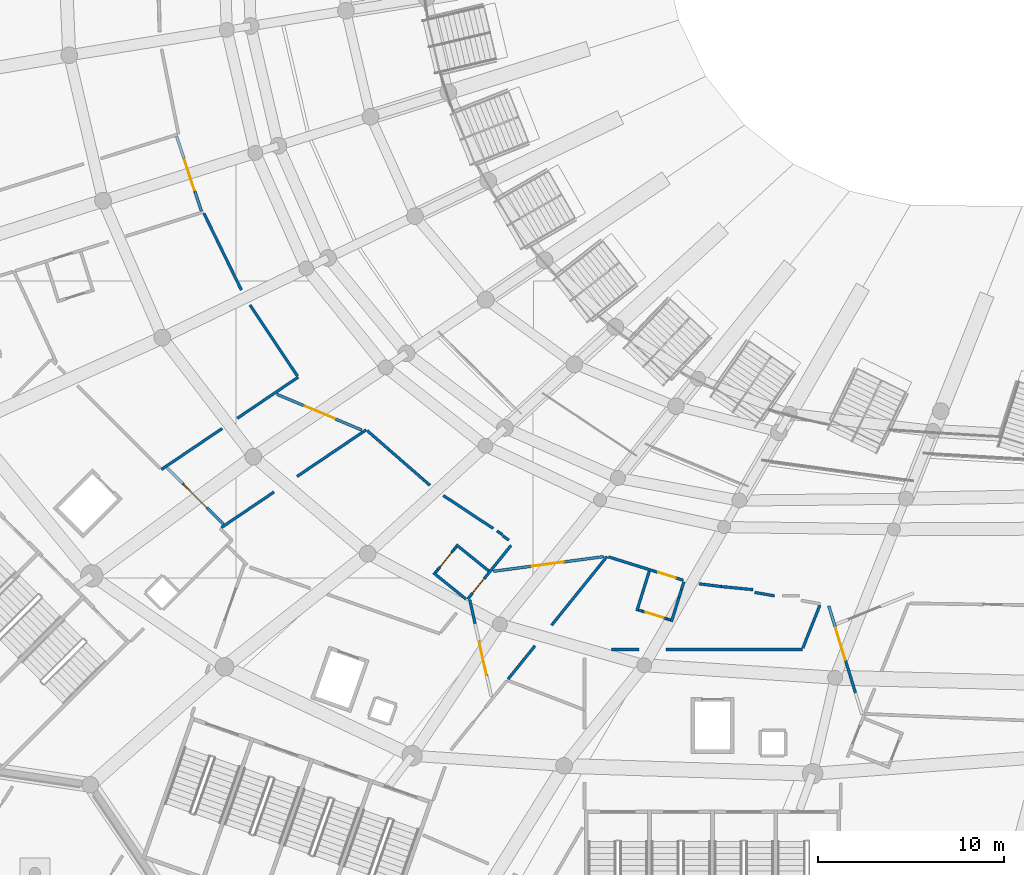
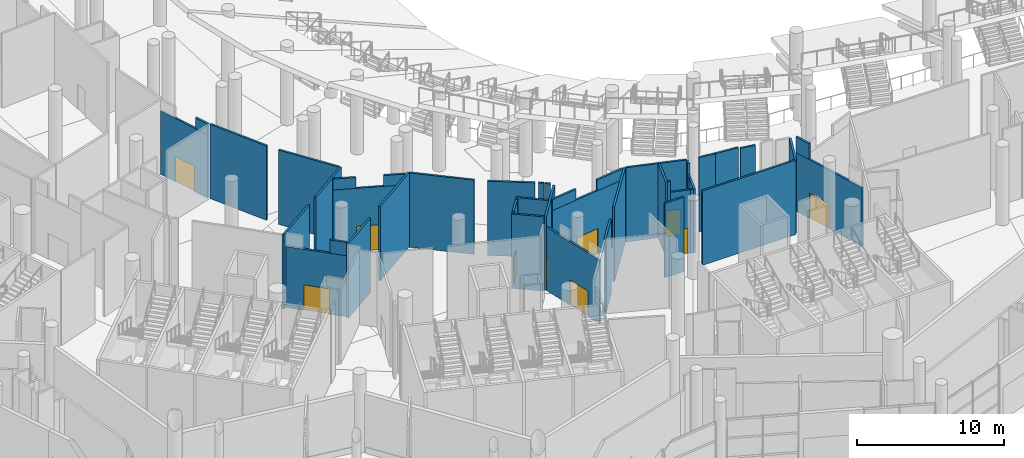
# One storey, part 108 of 255: 45 walls, 10 doors, 10 openings.
"""IFC4 building model written with IfcOpenShell, lengths in metres."""

from ifc_helpers import new_model, si_unit, direction, frame, frame_2d, origin, place, context, subcontext, project, spatial, rectangle, extrude, material, layer, layer_set, type_object, element, fill, save


model = new_model("IFC4")

# Units and contexts
model_context = context("Model", 3, precision=1e-05, world=origin(), true_north=direction((0.0, 1.0)))
body_context = subcontext(model_context, "Body", "Model", "MODEL_VIEW")
ifc_project = project(units=[si_unit("LENGTHUNIT", "METRE"), si_unit("AREAUNIT", "SQUARE_METRE"), si_unit("VOLUMEUNIT", "CUBIC_METRE"), si_unit("PLANEANGLEUNIT", "RADIAN"), si_unit("MASSUNIT", "GRAM", prefix="KILO")], contexts=[model_context])

# Site, building, storey
site_placement = place(None, origin())
site = spatial("IfcSite", under=ifc_project, at=site_placement, CompositionType="ELEMENT")
building_placement = place(site_placement, origin())
building = spatial("IfcBuilding", under=site, at=building_placement, Name="Meseta Stadium", CompositionType="ELEMENT")
storey_placement = place(building_placement, origin())
storey = spatial("IfcBuildingStorey", under=building, at=storey_placement, Name="L00", CompositionType="ELEMENT", Elevation=0.0)

# Walls
ifc_material_1 = material(Name="Masonry blockwork", Category="masonry")
ifc_layer = layer(ifc_material_1, 0.14990234375)
ifc_layer_set = layer_set([ifc_layer], Name="Partition 150")
wall_type = type_object("IfcWallType", Name="Partition 150", PredefinedType="PARTITIONING", material=ifc_layer_set)
wall_1_placement = place(storey_placement, frame((-60.65478515625, -69.186279296875, 0.0), z_axis=(0.0, 0.0, 1.0), x_axis=(-0.828805713465, -0.559536495081, 0.0)))
element("IfcWall", 1, at=wall_1_placement, inside=storey, type_object=wall_type, Name="Partition L00 L00-cell19-1-0", PredefinedType="PARTITIONING", context=body_context, shape_type="SweptSolid", body=[
    extrude(rectangle(XDim=3.953125, YDim=0.14990234375, at=frame_2d((1.9765625, 0.0))), origin(), (0.0, 0.0, 1.0), 6.14990234375),
])
wall_2_placement = place(storey_placement, frame((-64.750244140625, -71.950927734375, 0.0), z_axis=(0.0, 0.0, 1.0), x_axis=(-0.828815019126, -0.559522710952, 0.0)))
element("IfcWall", 2, at=wall_2_placement, inside=storey, type_object=wall_type, Name="Partition L00 L00-cell19-1-0", PredefinedType="PARTITIONING", context=body_context, shape_type="SweptSolid", body=[
    extrude(rectangle(XDim=3.952880859375, YDim=0.14990234375, at=frame_2d((1.9765625, 0.0))), origin(), (0.0, 0.0, 1.0), 6.14990234375),
])
wall_3_placement = place(storey_placement, frame((-65.735595703125, -60.357666015625, 0.0), z_axis=(0.0, 0.0, 1.0), x_axis=(0.438916996059, -0.898527612581, 0.0)))
element("IfcWall", 3, at=wall_3_placement, inside=storey, type_object=wall_type, Name="Partition L00 L00-cell19-1-0", PredefinedType="PARTITIONING", context=body_context, shape_type="SweptSolid", body=[
    extrude(rectangle(XDim=4.60107421875, YDim=0.14990234375, at=frame_2d((2.300537109375, 0.0))), origin(), (0.0, 0.0, 1.0), 6.14990234375),
])
wall_4_placement = place(storey_placement, frame((-63.251220703125, -65.30078125, 0.0), z_axis=(0.0, 0.0, 1.0), x_axis=(0.555582071925, -0.831461701677, 0.0)))
element("IfcWall", 4, at=wall_4_placement, inside=storey, type_object=wall_type, Name="Partition L00 L00-cell19-1-0", PredefinedType="PARTITIONING", context=body_context, shape_type="SweptSolid", body=[
    extrude(rectangle(XDim=4.59814453125, YDim=0.14990234375, at=frame_2d((2.299072265625, 0.0))), origin(), (0.0, 0.0, 1.0), 6.14990234375),
])
wall_5_placement = place(storey_placement, frame((-64.793701171875, -77.2890625, 0.0), z_axis=(0.0, 0.0, 1.0), x_axis=(0.828829640135, 0.559501052397, 0.0)))
element("IfcWall", 5, at=wall_5_placement, inside=storey, type_object=wall_type, Name="Partition L00 L00-cell20-1-0", PredefinedType="PARTITIONING", context=body_context, shape_type="SweptSolid", body=[
    extrude(rectangle(XDim=3.420166015625, YDim=0.14990234375, at=frame_2d((1.7099609375, 0.0))), origin(), (0.0, 0.0, 1.0), 6.14990234375),
])
wall_6_placement = place(storey_placement, frame((-60.716796875, -74.536865234375, 0.0), z_axis=(0.0, 0.0, 1.0), x_axis=(0.828836712626, 0.559490575259, 0.0)))
element("IfcWall", 6, at=wall_6_placement, inside=storey, type_object=wall_type, Name="Partition L00 L00-cell20-1-0", PredefinedType="PARTITIONING", context=body_context, shape_type="SweptSolid", body=[
    extrude(rectangle(XDim=4.495849609375, YDim=0.14990234375, at=frame_2d((2.248046875, 0.0))), origin(), (0.0, 0.0, 1.0), 6.14990234375),
])
wall_7_placement = place(storey_placement, frame((-56.93212890625, -72.072509765625, 0.0), z_axis=(0.0, 0.0, 1.0), x_axis=(0.753910661327, -0.656976951451, 0.0)))
element("IfcWall", 7, at=wall_7_placement, inside=storey, type_object=wall_type, Name="Partition L00 L00-cell20-1-0", PredefinedType="PARTITIONING", context=body_context, shape_type="SweptSolid", body=[
    extrude(rectangle(XDim=4.47314453125, YDim=0.14990234375, at=frame_2d((2.236572265625, 0.0))), origin(), (0.0, 0.0, 1.0), 6.14990234375),
])
wall_8_placement = place(storey_placement, frame((-52.83349609375, -75.563720703125, 0.0), z_axis=(0.0, 0.0, 1.0), x_axis=(0.833960458976, -0.551824204674, 0.0)))
element("IfcWall", 8, at=wall_8_placement, inside=storey, type_object=wall_type, Name="Partition L00 L00-cell20-1-0", PredefinedType="PARTITIONING", context=body_context, shape_type="SweptSolid", body=[
    extrude(rectangle(XDim=3.21630859375, YDim=0.14990234375, at=frame_2d((1.608154296875, 0.0))), origin(), (0.0, 0.0, 1.0), 6.14990234375),
])
wall_9_placement = place(storey_placement, frame((-49.954345703125, -77.468994140625, 0.0), z_axis=(0.0, 0.0, 1.0), x_axis=(0.833680551753, -0.552246989696, 0.0)))
element("IfcWall", 9, at=wall_9_placement, inside=storey, type_object=wall_type, Name="Partition L00 L00-cell20-1-0", PredefinedType="PARTITIONING", context=body_context, shape_type="SweptSolid", body=[
    extrude(rectangle(XDim=0.367919921875, YDim=0.14990234375, at=frame_2d((0.18408203125, 0.0))), origin(), (0.0, 0.0, 1.0), 6.14990234375),
])
wall_10_placement = place(storey_placement, frame((-49.640380859375, -77.72998046875, 0.0), z_axis=(0.0, 0.0, 1.0), x_axis=(0.817597702249, -0.575789889871, 0.0)))
element("IfcWall", 10, at=wall_10_placement, inside=storey, type_object=wall_type, Name="Partition L00 L00-cell20-1-0", PredefinedType="PARTITIONING", context=body_context, shape_type="SweptSolid", body=[
    extrude(rectangle(XDim=0.407958984375, YDim=0.14990234375, at=frame_2d((0.2041015625, 0.0))), origin(), (0.0, 0.0, 1.0), 6.14990234375),
])

# Wall, opening, door
wall_11_placement = place(storey_placement, frame((-49.1884765625, -78.2490234375, 0.0), z_axis=(0.0, 0.0, 1.0), x_axis=(-0.628033206924, -0.778186539977, 0.0)))
wall_11 = element("IfcWall", 11, at=wall_11_placement, inside=storey, type_object=wall_type, Name="Partition L00 L00-cell20-1-0", PredefinedType="PARTITIONING", context=body_context, shape_type="SweptSolid", body=[
    extrude(rectangle(XDim=3.7216796875, YDim=0.14990234375, at=frame_2d((1.86083984375, 0.0))), origin(), (0.0, 0.0, 1.0), 6.14990234375),
])
opening_1_placement = place(wall_11_placement, frame((2.300048828125, 0.0, 0.0)))
opening_1 = element("IfcOpeningElement", 12, at=opening_1_placement, cuts=wall_11, Name="Opening D593", PredefinedType="OPENING", context=body_context, shape_type="SweptSolid", body=[
    extrude(rectangle(XDim=1.0, YDim=2.10009765625, at=frame_2d((0.5, 1.050048828125))), frame((0.0, 0.0849609375, 0.0), z_axis=(0.0, -1.0, 0.0), x_axis=(1.0, 0.0, 0.0)), (0.0, 0.0, 1.0), 0.169921875),
])
ifc_material_2 = material(Name="Steel", Category="steel")
door_type_1 = type_object("IfcDoorType", Name="Fire door 1000x2100 EI2 60", OperationType="NOTDEFINED", PredefinedType="DOOR", material=ifc_material_2)
door_1_placement = place(opening_1_placement, origin())
door_1 = element("IfcDoor", 13, at=door_1_placement, inside=storey, type_object=door_type_1, Name="Door D593", OperationType="SINGLE_SWING_RIGHT", OverallHeight=2.10009765625, OverallWidth=1.0, PredefinedType="DOOR", context=body_context, shape_type="SweptSolid", body=[
    extrude(rectangle(XDim=1.0, YDim=2.10009765625, at=frame_2d((0.5, 1.050048828125))), frame((0.0, 0.02490234375, 0.0), z_axis=(0.0, -1.0, 0.0), x_axis=(1.0, 0.0, 0.0)), (0.0, 0.0, 1.0), 0.050048828125),
])
fill(opening_1, door_1)

# Walls
wall_12_placement = place(storey_placement, frame((-33.498291015625, -83.85107421875, 0.0), z_axis=(0.0, 0.0, 1.0), x_axis=(-1.0, 0.0, 0.0)))
element("IfcWall", 14, at=wall_12_placement, inside=storey, type_object=wall_type, Name="Partition L00 L00-cell21-1-0", PredefinedType="PARTITIONING", context=body_context, shape_type="SweptSolid", body=[
    extrude(rectangle(XDim=7.33447265625, YDim=0.14990234375, at=frame_2d((3.667236328125, 0.0))), origin(), (0.0, 0.0, 1.0), 6.14990234375),
])
wall_13_placement = place(storey_placement, frame((-42.299560546875, -83.85107421875, 0.0), z_axis=(0.0, 0.0, 1.0), x_axis=(-1.0, 0.0, 0.0)))
element("IfcWall", 15, at=wall_13_placement, inside=storey, type_object=wall_type, Name="Partition L00 L00-cell21-1-0", PredefinedType="PARTITIONING", context=body_context, shape_type="SweptSolid", body=[
    extrude(rectangle(XDim=1.467041015625, YDim=0.14990234375, at=frame_2d((0.7333984375, 0.0))), origin(), (0.0, 0.0, 1.0), 6.14990234375),
])
wall_14_placement = place(storey_placement, frame((-49.3466796875, -85.451416015625, 0.0), z_axis=(0.0, 0.0, 1.0), x_axis=(0.62800123526, 0.778212341532, 0.0)))
element("IfcWall", 16, at=wall_14_placement, inside=storey, type_object=wall_type, Name="Partition L00 L00-cell21-1-0", PredefinedType="PARTITIONING", context=body_context, shape_type="SweptSolid", body=[
    extrude(rectangle(XDim=2.301513671875, YDim=0.14990234375, at=frame_2d((1.15087890625, 0.0))), origin(), (0.0, 0.0, 1.0), 6.14990234375),
])
wall_15_placement = place(storey_placement, frame((-47.00439453125, -82.548828125, 0.0), z_axis=(0.0, 0.0, 1.0), x_axis=(0.628029075818, 0.778189873956, 0.0)))
element("IfcWall", 17, at=wall_15_placement, inside=storey, type_object=wall_type, Name="Partition L00 L00-cell21-1-0", PredefinedType="PARTITIONING", context=body_context, shape_type="SweptSolid", body=[
    extrude(rectangle(XDim=4.760498046875, YDim=0.14990234375, at=frame_2d((2.38037109375, 0.0))), origin(), (0.0, 0.0, 1.0), 6.14990234375),
])

# Wall, opening, door
wall_16_placement = place(storey_placement, frame((-43.937744140625, -78.868408203125, 0.0), z_axis=(0.0, 0.0, 1.0), x_axis=(0.954512887369, -0.298169662854, 0.0)))
wall_16 = element("IfcWall", 18, at=wall_16_placement, inside=storey, type_object=wall_type, Name="Partition L00 L00-cell21-1-0", PredefinedType="PARTITIONING", context=body_context, shape_type="SweptSolid", body=[
    extrude(rectangle(XDim=4.223388671875, YDim=0.14990234375, at=frame_2d((2.11181640625, 0.0))), origin(), (0.0, 0.0, 1.0), 6.14990234375),
])
opening_2_placement = place(wall_16_placement, frame((2.800048828125, 0.0, 0.0)))
opening_2 = element("IfcOpeningElement", 19, at=opening_2_placement, cuts=wall_16, Name="Opening D595", PredefinedType="OPENING", context=body_context, shape_type="SweptSolid", body=[
    extrude(rectangle(XDim=1.0, YDim=2.10009765625, at=frame_2d((0.5, 1.050048828125))), frame((0.0, 0.0849609375, 0.0), z_axis=(0.0, -1.0, 0.0), x_axis=(1.0, 0.0, 0.0)), (0.0, 0.0, 1.0), 0.169921875),
])
door_2_placement = place(opening_2_placement, origin())
door_2 = element("IfcDoor", 20, at=door_2_placement, inside=storey, type_object=door_type_1, Name="Door D595", OperationType="SINGLE_SWING_RIGHT", OverallHeight=2.10009765625, OverallWidth=1.0, PredefinedType="DOOR", context=body_context, shape_type="SweptSolid", body=[
    extrude(rectangle(XDim=1.0, YDim=2.10009765625, at=frame_2d((0.5, 1.050048828125))), frame((0.0, 0.02490234375, 0.0), z_axis=(0.0, -1.0, 0.0), x_axis=(1.0, 0.0, 0.0)), (0.0, 0.0, 1.0), 0.050048828125),
])
fill(opening_2, door_2)

# Walls
wall_17_placement = place(storey_placement, frame((-39.0517578125, -80.319580078125, 0.0), z_axis=(0.0, 0.0, 1.0), x_axis=(0.992395970695, -0.123086300411, 0.0)))
element("IfcWall", 21, at=wall_17_placement, inside=storey, type_object=wall_type, Name="Partition L00 L00-cell21-1-0", PredefinedType="PARTITIONING", context=body_context, shape_type="SweptSolid", body=[
    extrude(rectangle(XDim=1.203857421875, YDim=0.14990234375, at=frame_2d((0.60205078125, 0.0))), origin(), (0.0, 0.0, 1.0), 6.14990234375),
])
wall_18_placement = place(storey_placement, frame((-37.85693359375, -80.4677734375, 0.0), z_axis=(0.0, 0.0, 1.0), x_axis=(0.995271276212, -0.097134374696, 0.0)))
element("IfcWall", 22, at=wall_18_placement, inside=storey, type_object=wall_type, Name="Partition L00 L00-cell21-1-0", PredefinedType="PARTITIONING", context=body_context, shape_type="SweptSolid", body=[
    extrude(rectangle(XDim=1.714111328125, YDim=0.14990234375, at=frame_2d((0.85693359375, 0.0))), origin(), (0.0, 0.0, 1.0), 6.14990234375),
])
wall_19_placement = place(storey_placement, frame((-36.05859375, -80.781982421875, 0.0), z_axis=(0.0, 0.0, 1.0), x_axis=(0.985002469259, -0.172540243288, 0.0)))
element("IfcWall", 23, at=wall_19_placement, inside=storey, type_object=wall_type, Name="Partition L00 L00-cell21-1-0", PredefinedType="PARTITIONING", context=body_context, shape_type="SweptSolid", body=[
    extrude(rectangle(XDim=1.073974609375, YDim=0.14990234375, at=frame_2d((0.537109375, 0.0))), origin(), (0.0, 0.0, 1.0), 6.14990234375),
])
wall_20_placement = place(storey_placement, frame((-32.553955078125, -81.471435546875, 0.0), z_axis=(0.0, 0.0, 1.0), x_axis=(-0.368842819748, -0.929491782815, 0.0)))
element("IfcWall", 24, at=wall_20_placement, inside=storey, type_object=wall_type, Name="Partition L00 L00-cell21-1-0", PredefinedType="PARTITIONING", context=body_context, shape_type="SweptSolid", body=[
    extrude(rectangle(XDim=2.4794921875, YDim=0.14990234375, at=frame_2d((1.23974609375, 0.0))), origin(), (0.0, 0.0, 1.0), 6.14990234375),
])
for number, where, z_axis, x_axis, name in (
    (25, (-50.39306640625, -79.622314453125, 0.0), (0.0, 0.0, 1.0), (-0.778098232517, 0.628142611636, 0.0), "Partition L00 L00-cell20-1-0 vestibule"),
    (26, (-51.61767578125, -81.1396484375, 0.0), (0.0, 0.0, 1.0), (-0.778194067607, 0.628023879435, 0.0), "Partition L00 L00-cell20-1-0 vestibule"),
):
    element("IfcWall", number, at=place(storey_placement, frame(where, z_axis=z_axis, x_axis=x_axis)), inside=storey, type_object=wall_type, Name=name, PredefinedType="PARTITIONING", context=body_context, shape_type="SweptSolid", body=[
        extrude(rectangle(XDim=2.25, YDim=0.14990234375, at=frame_2d((1.125, 0.0))), origin(), (0.0, 0.0, 1.0), 6.14990234375),
    ])
wall_21_placement = place(storey_placement, frame((-52.1328125, -78.314697265625, 0.0), z_axis=(0.0, 0.0, 1.0), x_axis=(-0.627967346338, -0.778239687971, 0.0)))
element("IfcWall", 27, at=wall_21_placement, inside=storey, type_object=wall_type, Name="Partition L00 L00-cell20-1-0 vestibule", PredefinedType="PARTITIONING", context=body_context, shape_type="SweptSolid", body=[
    extrude(rectangle(XDim=0.199951171875, YDim=0.14990234375, at=frame_2d((0.10009765625, 0.0))), origin(), (0.0, 0.0, 1.0), 6.14990234375),
])

# Wall, opening, door
wall_22_placement = place(storey_placement, frame((-52.25830078125, -78.47021484375, 0.0), z_axis=(0.0, 0.0, 1.0), x_axis=(-0.627943305032, -0.778259086465, 0.0)))
wall_22 = element("IfcWall", 28, at=wall_22_placement, inside=storey, type_object=wall_type, Name="Partition L00 L00-cell20-1-0 vestibule", PredefinedType="PARTITIONING", context=body_context, shape_type="SweptSolid", body=[
    extrude(rectangle(XDim=1.400146484375, YDim=0.14990234375, at=frame_2d((0.7001953125, 0.0))), origin(), (0.0, 0.0, 1.0), 6.14990234375),
])
opening_3_placement = place(wall_22_placement, frame((0.199951171875, 0.0, 0.0)))
opening_3 = element("IfcOpeningElement", 29, at=opening_3_placement, cuts=wall_22, Name="Opening D857", PredefinedType="OPENING", context=body_context, shape_type="SweptSolid", body=[
    extrude(rectangle(XDim=1.0, YDim=2.10009765625, at=frame_2d((0.5, 1.050048828125))), frame((0.0, 0.0849609375, 0.0), z_axis=(0.0, -1.0, 0.0), x_axis=(1.0, 0.0, 0.0)), (0.0, 0.0, 1.0), 0.169921875),
])
door_3_placement = place(opening_3_placement, origin())
door_3 = element("IfcDoor", 30, at=door_3_placement, inside=storey, type_object=door_type_1, Name="Vestibule door L00 L00-cell20-1-0", OperationType="SINGLE_SWING_LEFT", OverallHeight=2.10009765625, OverallWidth=1.0, PredefinedType="DOOR", context=body_context, shape_type="SweptSolid", body=[
    extrude(rectangle(XDim=1.0, YDim=2.10009765625, at=frame_2d((0.5, 1.050048828125))), frame((0.0, 0.02490234375, 0.0), z_axis=(0.0, -1.0, 0.0), x_axis=(1.0, 0.0, 0.0)), (0.0, 0.0, 1.0), 0.050048828125),
])
fill(opening_3, door_3)

# Walls
wall_23_placement = place(storey_placement, frame((-53.137451171875, -79.559814453125, 0.0), z_axis=(0.0, 0.0, 1.0), x_axis=(-0.628706442472, -0.777642725931, 0.0)))
element("IfcWall", 31, at=wall_23_placement, inside=storey, type_object=wall_type, Name="Partition L00 L00-cell20-1-0 vestibule", PredefinedType="PARTITIONING", context=body_context, shape_type="SweptSolid", body=[
    extrude(rectangle(XDim=0.199951171875, YDim=0.14990234375, at=frame_2d((0.10009765625, 0.0))), origin(), (0.0, 0.0, 1.0), 6.14990234375),
])
wall_24_placement = place(storey_placement, frame((-41.74072265625, -79.63330078125, 0.0), z_axis=(0.0, 0.0, 1.0), x_axis=(-0.298299707531, -0.954472254435, 0.0)))
element("IfcWall", 32, at=wall_24_placement, inside=storey, type_object=wall_type, Name="Partition L00 L00-cell21-1-0 vestibule", PredefinedType="PARTITIONING", context=body_context, shape_type="SweptSolid", body=[
    extrude(rectangle(XDim=2.25, YDim=0.14990234375, at=frame_2d((1.125, 0.0))), origin(), (0.0, 0.0, 1.0), 6.14990234375),
])
wall_25_placement = place(storey_placement, frame((-39.879638671875, -80.214599609375, 0.0), z_axis=(0.0, 0.0, 1.0), x_axis=(-0.298274993136, -0.954479978035, 0.0)))
element("IfcWall", 33, at=wall_25_placement, inside=storey, type_object=wall_type, Name="Partition L00 L00-cell21-1-0 vestibule", PredefinedType="PARTITIONING", context=body_context, shape_type="SweptSolid", body=[
    extrude(rectangle(XDim=0.4501953125, YDim=0.14990234375, at=frame_2d((0.22509765625, 0.0))), origin(), (0.0, 0.0, 1.0), 6.14990234375),
])
wall_26_placement = place(storey_placement, frame((-40.013916015625, -80.644287109375, 0.0), z_axis=(0.0, 0.0, 1.0), x_axis=(-0.297935070727, -0.954586137355, 0.0)))
element("IfcWall", 34, at=wall_26_placement, inside=storey, type_object=wall_type, Name="Partition L00 L00-cell21-1-0 vestibule", PredefinedType="PARTITIONING", context=body_context, shape_type="SweptSolid", body=[
    extrude(rectangle(XDim=0.449951171875, YDim=0.14990234375, at=frame_2d((0.22509765625, 0.0))), origin(), (0.0, 0.0, 1.0), 5.25),
])
wall_27_placement = place(storey_placement, frame((-40.14794921875, -81.07373046875, 0.0), z_axis=(0.0, 0.0, 1.0), x_axis=(-0.298213209206, -0.954499283318, 0.0)))
element("IfcWall", 35, at=wall_27_placement, inside=storey, type_object=wall_type, Name="Partition L00 L00-cell21-1-0 vestibule", PredefinedType="PARTITIONING", context=body_context, shape_type="SweptSolid", body=[
    extrude(rectangle(XDim=1.35009765625, YDim=0.14990234375, at=frame_2d((0.675048828125, 0.0))), origin(), (0.0, 0.0, 1.0), 5.25),
])
wall_28_placement = place(storey_placement, frame((-42.31787109375, -81.731689453125, 0.0), z_axis=(0.0, 0.0, 1.0), x_axis=(0.954610213882, -0.297857918398, 0.0)))
element("IfcWall", 36, at=wall_28_placement, inside=storey, type_object=wall_type, Name="Partition L00 L00-cell21-1-0 vestibule", PredefinedType="PARTITIONING", context=body_context, shape_type="SweptSolid", body=[
    extrude(rectangle(XDim=0.199951171875, YDim=0.14990234375, at=frame_2d((0.10009765625, 0.0))), origin(), (0.0, 0.0, 1.0), 6.14990234375),
])

# Wall, opening, door
wall_29_placement = place(storey_placement, frame((-42.126953125, -81.791259765625, 0.0), z_axis=(0.0, 0.0, 1.0), x_axis=(0.954510999874, -0.298175705112, 0.0)))
wall_29 = element("IfcWall", 37, at=wall_29_placement, inside=storey, type_object=wall_type, Name="Partition L00 L00-cell21-1-0 vestibule", PredefinedType="PARTITIONING", context=body_context, shape_type="SweptSolid", body=[
    extrude(rectangle(XDim=1.400146484375, YDim=0.14990234375, at=frame_2d((0.7001953125, 0.0))), origin(), (0.0, 0.0, 1.0), 5.25),
])
opening_4_placement = place(wall_29_placement, frame((0.199951171875, 0.0, 0.0)))
opening_4 = element("IfcOpeningElement", 38, at=opening_4_placement, cuts=wall_29, Name="Opening D858", PredefinedType="OPENING", context=body_context, shape_type="SweptSolid", body=[
    extrude(rectangle(XDim=1.0, YDim=2.10009765625, at=frame_2d((0.5, 1.050048828125))), frame((0.0, 0.0849609375, 0.0), z_axis=(0.0, -1.0, 0.0), x_axis=(1.0, 0.0, 0.0)), (0.0, 0.0, 1.0), 0.169921875),
])
door_4_placement = place(opening_4_placement, origin())
door_4 = element("IfcDoor", 39, at=door_4_placement, inside=storey, type_object=door_type_1, Name="Vestibule door L00 L00-cell21-1-0", OperationType="SINGLE_SWING_RIGHT", OverallHeight=2.10009765625, OverallWidth=1.0, PredefinedType="DOOR", context=body_context, shape_type="SweptSolid", body=[
    extrude(rectangle(XDim=1.0, YDim=2.10009765625, at=frame_2d((0.5, 1.050048828125))), frame((0.0, 0.02490234375, 0.0), z_axis=(0.0, -1.0, 0.0), x_axis=(1.0, 0.0, 0.0)), (0.0, 0.0, 1.0), 0.050048828125),
])
fill(opening_4, door_4)

# Wall
wall_30_placement = place(storey_placement, frame((-40.79052734375, -82.208740234375, 0.0), z_axis=(0.0, 0.0, 1.0), x_axis=(0.954610213882, -0.297857918398, 0.0)))
element("IfcWall", 40, at=wall_30_placement, inside=storey, type_object=wall_type, Name="Partition L00 L00-cell21-1-0 vestibule", PredefinedType="PARTITIONING", context=body_context, shape_type="SweptSolid", body=[
    extrude(rectangle(XDim=0.199951171875, YDim=0.14990234375, at=frame_2d((0.10009765625, 0.0))), origin(), (0.0, 0.0, 1.0), 5.25),
])

# Wall, opening, door
wall_31_placement = place(storey_placement, frame((-67.205810546875, -56.20947265625, 0.0), z_axis=(0.0, 0.0, 1.0), x_axis=(0.314951117126, -0.949107893667, 0.0)))
wall_31 = element("IfcWall", 41, at=wall_31_placement, inside=storey, type_object=wall_type, Name="Escape corridor discharge wall L00 core 20", PredefinedType="PARTITIONING", context=body_context, shape_type="SweptSolid", body=[
    extrude(rectangle(XDim=4.246337890625, YDim=0.14990234375, at=frame_2d((2.123046875, 0.0))), origin(), (0.0, 0.0, 1.0), 5.25),
])
opening_5_placement = place(wall_31_placement, frame((1.29638671875, 0.0, 0.0)))
opening_5 = element("IfcOpeningElement", 42, at=opening_5_placement, cuts=wall_31, Name="Opening D396", PredefinedType="OPENING", context=body_context, shape_type="SweptSolid", body=[
    extrude(rectangle(XDim=1.800048828125, YDim=2.10009765625, at=frame_2d((0.89990234375, 1.050048828125))), frame((0.0, 0.0849609375, 0.0), z_axis=(0.0, -1.0, 0.0), x_axis=(1.0, 0.0, 0.0)), (0.0, 0.0, 1.0), 0.169921875),
])
ifc_material_3 = material(Name="Steel", Category="steel")
door_type_2 = type_object("IfcDoorType", Name="Fire double door 1800x2100 EI2 60", OperationType="DOUBLE_DOOR_SINGLE_SWING", PredefinedType="DOOR", material=ifc_material_3)
door_5_placement = place(opening_5_placement, origin())
door_5 = element("IfcDoor", 43, at=door_5_placement, inside=storey, type_object=door_type_2, Name="Stair discharge door SD20-1", OperationType="DOUBLE_DOOR_SINGLE_SWING", OverallHeight=2.10009765625, OverallWidth=1.800048828125, PredefinedType="DOOR", context=body_context, shape_type="SweptSolid", body=[
    extrude(rectangle(XDim=1.800048828125, YDim=2.10009765625, at=frame_2d((0.89990234375, 1.050048828125))), frame((0.0, 0.02490234375, 0.0), z_axis=(0.0, -1.0, 0.0), x_axis=(1.0, 0.0, 0.0)), (0.0, 0.0, 1.0), 0.050048828125),
])
fill(opening_5, door_5)

# Wall
wall_32_placement = place(storey_placement, frame((-66.21484375, -59.19580078125, 5.25), z_axis=(0.0, 0.0, 1.0), x_axis=(0.314962308515, -0.949104179853, 0.0)))
element("IfcWall", 44, at=wall_32_placement, inside=storey, type_object=wall_type, Name="Escape corridor discharge wall L00 core 20", PredefinedType="PARTITIONING", context=body_context, shape_type="SweptSolid", body=[
    extrude(rectangle(XDim=1.099853515625, YDim=0.14990234375, at=frame_2d((0.5498046875, 0.0))), origin(), (0.0, 0.0, 1.0), 0.89990234375),
])

# Wall, opening, door
wall_33_placement = place(storey_placement, frame((-67.729248046875, -74.07080078125, 0.0), z_axis=(0.0, 0.0, 1.0), x_axis=(0.707106781187, -0.707106781187, 0.0)))
wall_33 = element("IfcWall", 45, at=wall_33_placement, inside=storey, type_object=wall_type, Name="Escape corridor sector wall L00 core 21", PredefinedType="PARTITIONING", context=body_context, shape_type="SweptSolid", body=[
    extrude(rectangle(XDim=4.29833984375, YDim=0.14990234375, at=frame_2d((2.149169921875, 0.0))), origin(), (0.0, 0.0, 1.0), 5.050048828125),
])
opening_6_placement = place(wall_33_placement, frame((1.25, 0.0, 0.0)))
opening_6 = element("IfcOpeningElement", 46, at=opening_6_placement, cuts=wall_33, Name="Opening D425", PredefinedType="OPENING", context=body_context, shape_type="SweptSolid", body=[
    extrude(rectangle(XDim=1.800048828125, YDim=2.10009765625, at=frame_2d((0.89990234375, 1.050048828125))), frame((0.0, 0.0849609375, 0.0), z_axis=(0.0, -1.0, 0.0), x_axis=(1.0, 0.0, 0.0)), (0.0, 0.0, 1.0), 0.169921875),
])
door_6_placement = place(opening_6_placement, origin())
door_6 = element("IfcDoor", 47, at=door_6_placement, inside=storey, type_object=door_type_2, Name="Escape corridor door EC21-1", OperationType="DOUBLE_DOOR_SINGLE_SWING", OverallHeight=2.10009765625, OverallWidth=1.800048828125, PredefinedType="DOOR", context=body_context, shape_type="SweptSolid", body=[
    extrude(rectangle(XDim=1.800048828125, YDim=2.10009765625, at=frame_2d((0.89990234375, 1.050048828125))), frame((0.0, 0.02490234375, 0.0), z_axis=(0.0, -1.0, 0.0), x_axis=(1.0, 0.0, 0.0)), (0.0, 0.0, 1.0), 0.050048828125),
])
fill(opening_6, door_6)

# Wall
wall_34_placement = place(storey_placement, frame((-65.55859375, -76.241455078125, 5.050048828125), z_axis=(0.0, 0.0, 1.0), x_axis=(0.707106781187, -0.707106781187, 0.0)))
element("IfcWall", 48, at=wall_34_placement, inside=storey, type_object=wall_type, Name="Escape corridor sector wall L00 core 21", PredefinedType="PARTITIONING", context=body_context, shape_type="SweptSolid", body=[
    extrude(rectangle(XDim=1.228515625, YDim=0.14990234375, at=frame_2d((0.6142578125, 0.0))), origin(), (0.0, 0.0, 1.0), 1.099853515625),
])

# Wall, opening, door
wall_35_placement = place(storey_placement, frame((-61.808837890625, -70.106201171875, 0.0), z_axis=(0.0, 0.0, 1.0), x_axis=(0.921339438191, -0.388759102316, 0.0)))
wall_35 = element("IfcWall", 49, at=wall_35_placement, inside=storey, type_object=wall_type, Name="Escape corridor discharge wall L00 core 21", PredefinedType="PARTITIONING", context=body_context, shape_type="SweptSolid", body=[
    extrude(rectangle(XDim=4.973876953125, YDim=0.14990234375, at=frame_2d((2.48681640625, 0.0))), origin(), (0.0, 0.0, 1.0), 5.25),
])
opening_7_placement = place(wall_35_placement, frame((1.62353515625, 0.0, 0.0)))
opening_7 = element("IfcOpeningElement", 50, at=opening_7_placement, cuts=wall_35, Name="Opening D397", PredefinedType="OPENING", context=body_context, shape_type="SweptSolid", body=[
    extrude(rectangle(XDim=1.800048828125, YDim=2.10009765625, at=frame_2d((0.89990234375, 1.050048828125))), frame((0.0, 0.0849609375, 0.0), z_axis=(0.0, -1.0, 0.0), x_axis=(1.0, 0.0, 0.0)), (0.0, 0.0, 1.0), 0.169921875),
])
door_7_placement = place(opening_7_placement, origin())
door_7 = element("IfcDoor", 51, at=door_7_placement, inside=storey, type_object=door_type_2, Name="Stair discharge door SD21-1", OperationType="DOUBLE_DOOR_SINGLE_SWING", OverallHeight=2.10009765625, OverallWidth=1.800048828125, PredefinedType="DOOR", context=body_context, shape_type="SweptSolid", body=[
    extrude(rectangle(XDim=1.800048828125, YDim=2.10009765625, at=frame_2d((0.89990234375, 1.050048828125))), frame((0.0, 0.02490234375, 0.0), z_axis=(0.0, -1.0, 0.0), x_axis=(1.0, 0.0, 0.0)), (0.0, 0.0, 1.0), 0.050048828125),
])
fill(opening_7, door_7)

# Walls
wall_36_placement = place(storey_placement, frame((-58.6083984375, -71.45654296875, 5.25), z_axis=(0.0, 0.0, 1.0), x_axis=(0.92131952974, -0.388806280966, 0.0)))
element("IfcWall", 52, at=wall_36_placement, inside=storey, type_object=wall_type, Name="Escape corridor discharge wall L00 core 21", PredefinedType="PARTITIONING", context=body_context, shape_type="SweptSolid", body=[
    extrude(rectangle(XDim=1.5, YDim=0.14990234375, at=frame_2d((0.75, 0.0))), origin(), (0.0, 0.0, 1.0), 0.89990234375),
])
wall_37_placement = place(storey_placement, frame((-61.808837890625, -70.106201171875, 5.25), z_axis=(0.0, 0.0, 1.0), x_axis=(0.921337247527, -0.38876429404, 0.0)))
element("IfcWall", 53, at=wall_37_placement, inside=storey, type_object=wall_type, Name="Escape corridor discharge wall L00 core 21", PredefinedType="PARTITIONING", context=body_context, shape_type="SweptSolid", body=[
    extrude(rectangle(XDim=1.57373046875, YDim=0.14990234375, at=frame_2d((0.786865234375, 0.0))), origin(), (0.0, 0.0, 1.0), 0.89990234375),
])

# Wall, opening, door
wall_38_placement = place(storey_placement, frame((-51.41259765625, -81.18115234375, 0.0), z_axis=(0.0, 0.0, 1.0), x_axis=(0.217755559277, -0.976003338316, 0.0)))
wall_38 = element("IfcWall", 54, at=wall_38_placement, inside=storey, type_object=wall_type, Name="Escape corridor sector wall L00 core 22", PredefinedType="PARTITIONING", context=body_context, shape_type="SweptSolid", body=[
    extrude(rectangle(XDim=5.325439453125, YDim=0.14990234375, at=frame_2d((2.66259765625, 0.0))), origin(), (0.0, 0.0, 1.0), 5.25),
])
opening_8_placement = place(wall_38_placement, frame((2.35009765625, 0.0, 0.0)))
opening_8 = element("IfcOpeningElement", 55, at=opening_8_placement, cuts=wall_38, Name="Opening D426", PredefinedType="OPENING", context=body_context, shape_type="SweptSolid", body=[
    extrude(rectangle(XDim=1.800048828125, YDim=2.10009765625, at=frame_2d((0.89990234375, 1.050048828125))), frame((0.0, 0.0849609375, 0.0), z_axis=(0.0, -1.0, 0.0), x_axis=(1.0, 0.0, 0.0)), (0.0, 0.0, 1.0), 0.169921875),
])
door_8_placement = place(opening_8_placement, origin())
door_8 = element("IfcDoor", 56, at=door_8_placement, inside=storey, type_object=door_type_2, Name="Escape corridor door EC22-1", OperationType="DOUBLE_DOOR_SINGLE_SWING", OverallHeight=2.10009765625, OverallWidth=1.800048828125, PredefinedType="DOOR", context=body_context, shape_type="SweptSolid", body=[
    extrude(rectangle(XDim=1.800048828125, YDim=2.10009765625, at=frame_2d((0.89990234375, 1.050048828125))), frame((0.0, 0.02490234375, 0.0), z_axis=(0.0, -1.0, 0.0), x_axis=(1.0, 0.0, 0.0)), (0.0, 0.0, 1.0), 0.050048828125),
])
fill(opening_8, door_8)

wall_39_placement = place(storey_placement, frame((-50.14990234375, -79.6474609375, 0.0), z_axis=(0.0, 0.0, 1.0), x_axis=(0.991264037714, 0.131892408934, 0.0)))
wall_39 = element("IfcWall", 57, at=wall_39_placement, inside=storey, type_object=wall_type, Name="Escape corridor discharge wall L00 core 22", PredefinedType="PARTITIONING", context=body_context, shape_type="SweptSolid", body=[
    extrude(rectangle(XDim=6.01220703125, YDim=0.14990234375, at=frame_2d((3.006103515625, 0.0))), origin(), (0.0, 0.0, 1.0), 5.25),
])
opening_9_placement = place(wall_39_placement, frame((2.062255859375, 0.0, 0.0)))
opening_9 = element("IfcOpeningElement", 58, at=opening_9_placement, cuts=wall_39, Name="Opening D398", PredefinedType="OPENING", context=body_context, shape_type="SweptSolid", body=[
    extrude(rectangle(XDim=1.800048828125, YDim=2.10009765625, at=frame_2d((0.89990234375, 1.050048828125))), frame((0.0, 0.0849609375, 0.0), z_axis=(0.0, -1.0, 0.0), x_axis=(1.0, 0.0, 0.0)), (0.0, 0.0, 1.0), 0.169921875),
])
door_9_placement = place(opening_9_placement, origin())
door_9 = element("IfcDoor", 59, at=door_9_placement, inside=storey, type_object=door_type_2, Name="Stair discharge door SD22-1", OperationType="DOUBLE_DOOR_SINGLE_SWING", OverallHeight=2.10009765625, OverallWidth=1.800048828125, PredefinedType="DOOR", context=body_context, shape_type="SweptSolid", body=[
    extrude(rectangle(XDim=1.800048828125, YDim=2.10009765625, at=frame_2d((0.89990234375, 1.050048828125))), frame((0.0, 0.02490234375, 0.0), z_axis=(0.0, -1.0, 0.0), x_axis=(1.0, 0.0, 0.0)), (0.0, 0.0, 1.0), 0.050048828125),
])
fill(opening_9, door_9)

# Walls
wall_40_placement = place(storey_placement, frame((-46.370849609375, -79.144775390625, 5.25), z_axis=(0.0, 0.0, 1.0), x_axis=(0.991255986245, 0.13195290726, 0.0)))
element("IfcWall", 60, at=wall_40_placement, inside=storey, type_object=wall_type, Name="Escape corridor discharge wall L00 core 22", PredefinedType="PARTITIONING", context=body_context, shape_type="SweptSolid", body=[
    extrude(rectangle(XDim=2.199951171875, YDim=0.14990234375, at=frame_2d((1.10009765625, 0.0))), origin(), (0.0, 0.0, 1.0), 0.89990234375),
])
wall_41_placement = place(storey_placement, frame((-50.14990234375, -79.6474609375, 5.25), z_axis=(0.0, 0.0, 1.0), x_axis=(0.991264949384, 0.131885556913, 0.0)))
element("IfcWall", 61, at=wall_41_placement, inside=storey, type_object=wall_type, Name="Escape corridor discharge wall L00 core 22", PredefinedType="PARTITIONING", context=body_context, shape_type="SweptSolid", body=[
    extrude(rectangle(XDim=2.01220703125, YDim=0.14990234375, at=frame_2d((1.006103515625, 0.0))), origin(), (0.0, 0.0, 1.0), 0.89990234375),
])

# Wall, opening, door
wall_42_placement = place(storey_placement, frame((-32.073974609375, -81.509033203125, 0.0), z_axis=(0.0, 0.0, 1.0), x_axis=(0.293525002097, -0.955951396852, 0.0)))
wall_42 = element("IfcWall", 62, at=wall_42_placement, inside=storey, type_object=wall_type, Name="Escape corridor sector wall L00 core 23", PredefinedType="PARTITIONING", context=body_context, shape_type="SweptSolid", body=[
    extrude(rectangle(XDim=6.118408203125, YDim=0.14990234375, at=frame_2d((3.05908203125, 0.0))), origin(), (0.0, 0.0, 1.0), 4.85009765625),
])
opening_10_placement = place(wall_42_placement, frame((1.25, 0.0, 0.0)))
opening_10 = element("IfcOpeningElement", 63, at=opening_10_placement, cuts=wall_42, Name="Opening D427", PredefinedType="OPENING", context=body_context, shape_type="SweptSolid", body=[
    extrude(rectangle(XDim=1.800048828125, YDim=2.10009765625, at=frame_2d((0.89990234375, 1.050048828125))), frame((0.0, 0.0849609375, 0.0), z_axis=(0.0, -1.0, 0.0), x_axis=(1.0, 0.0, 0.0)), (0.0, 0.0, 1.0), 0.169921875),
])
door_10_placement = place(opening_10_placement, origin())
door_10 = element("IfcDoor", 64, at=door_10_placement, inside=storey, type_object=door_type_2, Name="Escape corridor door EC23-1", OperationType="DOUBLE_DOOR_SINGLE_SWING", OverallHeight=2.10009765625, OverallWidth=1.800048828125, PredefinedType="DOOR", context=body_context, shape_type="SweptSolid", body=[
    extrude(rectangle(XDim=1.800048828125, YDim=2.10009765625, at=frame_2d((0.89990234375, 1.050048828125))), frame((0.0, 0.02490234375, 0.0), z_axis=(0.0, -1.0, 0.0), x_axis=(1.0, 0.0, 0.0)), (0.0, 0.0, 1.0), 0.050048828125),
])
fill(opening_10, door_10)

# Wall
wall_43_placement = place(storey_placement, frame((-32.073974609375, -81.509033203125, 4.85009765625), z_axis=(0.0, 0.0, 1.0), x_axis=(0.293556872503, -0.955941610459, 0.0)))
element("IfcWall", 65, at=wall_43_placement, inside=storey, type_object=wall_type, Name="Escape corridor sector wall L00 core 23", PredefinedType="PARTITIONING", context=body_context, shape_type="SweptSolid", body=[
    extrude(rectangle(XDim=1.2001953125, YDim=0.14990234375, at=frame_2d((0.60009765625, 0.0))), origin(), (0.0, 0.0, 1.0), 1.2998046875),
])

save(model, "model.ifc")
